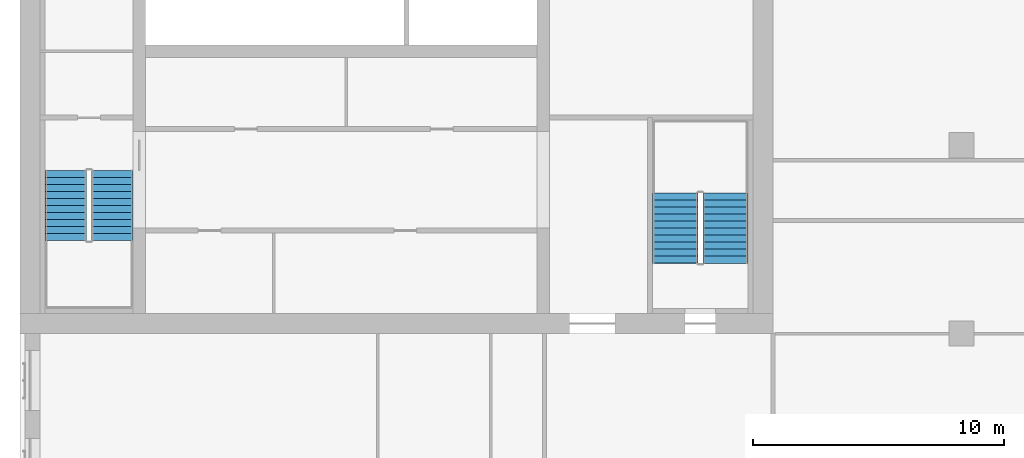
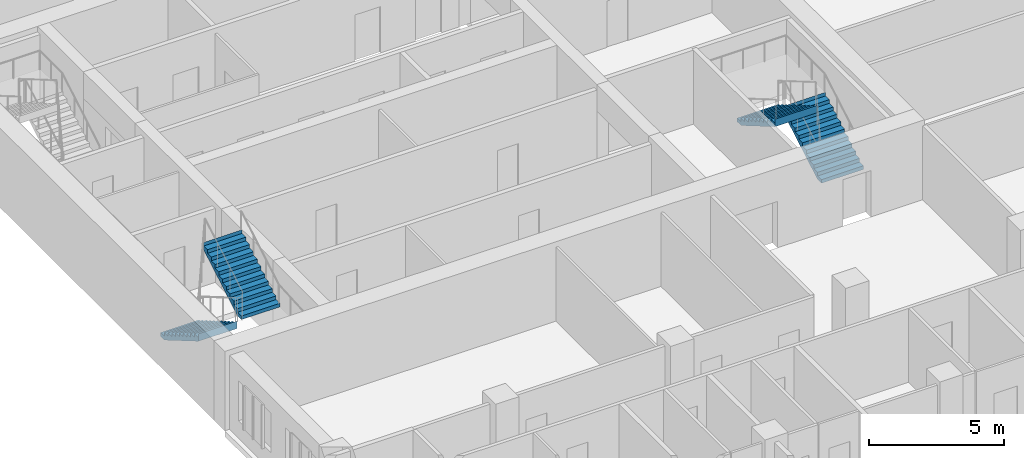
# One storey, part 12 of 14: 4 stair flights, 2 elements without a shape of their own.
"""IFC4 building model written with IfcOpenShell, lengths in metres."""

from ifc_helpers import new_model, si_unit, direction, frame, origin, place, context, subcontext, project, spatial, polyline, outline, extrude, material, type_object, element, aggregate, save


model = new_model("IFC4")

# Units and contexts
model_context = context("Model", 3, precision=1e-05, world=origin(), true_north=direction((0.0, 1.0)))
body_context = subcontext(model_context, "Body", "Model", "MODEL_VIEW")
ifc_project = project(units=[si_unit("LENGTHUNIT", "METRE"), si_unit("AREAUNIT", "SQUARE_METRE"), si_unit("VOLUMEUNIT", "CUBIC_METRE"), si_unit("PLANEANGLEUNIT", "RADIAN"), si_unit("MASSUNIT", "GRAM", prefix="KILO")], contexts=[model_context])

# Site, building, storey
site_placement = place(None, origin())
site = spatial("IfcSite", under=ifc_project, at=site_placement, CompositionType="ELEMENT")
building_placement = place(site_placement, origin())
building = spatial("IfcBuilding", under=site, at=building_placement, Name="Tamorin Gate", CompositionType="ELEMENT")
storey_placement = place(building_placement, frame((0.0, 0.0, 155.39990234375)))
storey = spatial("IfcBuildingStorey", under=building, at=storey_placement, Name="L38", CompositionType="ELEMENT", Elevation=155.39990234375)

# Stair, stair flights
ifc_material = material(Name="Concrete C40/50", Category="concrete")
stair_type = type_object("IfcStairType", Name="Exit stair", PredefinedType="HALF_TURN_STAIR", material=ifc_material)
stair_1_placement = place(storey_placement, origin())
stair_1 = element("IfcStair", 1, at=stair_1_placement, inside=storey, type_object=stair_type, Name="L38 stair ST1", PredefinedType="HALF_TURN_STAIR")
stair_flight_type = type_object("IfcStairFlightType", Name="Exit stair flight", PredefinedType="STRAIGHT", material=ifc_material)
stair_flight_1_placement = place(storey_placement, frame((31.824951171875, 66.5, 0.0), z_axis=(0.0, 0.0, 1.0), x_axis=(0.0, -1.0, 0.0)))
stair_flight_1 = element("IfcStairFlight", 2, at=stair_flight_1_placement, type_object=stair_flight_type, Name="ST1 flight 1", NumberOfRisers=11, NumberOfTreads=10, PredefinedType="STRAIGHT", RiserHeight=0.163636364, TreadLength=0.28, context=body_context, shape_type="SweptSolid", body=[
    extrude(outline(polyline([(-0.00048828125, 0.0), (-0.00048828125, 0.001708984375), (-0.00048828125, 0.003173828125), (-0.00048828125, 0.0048828125), (-0.00048828125, 0.006591796875), (-0.00048828125, 0.008056640625), (-0.00048828125, 0.009765625), (-0.00048828125, 0.01123046875), (-0.00048828125, 0.012939453125), (-0.00048828125, 0.0146484375), (-0.00048828125, 0.01611328125), (-0.00048828125, 0.017822265625), (-0.00048828125, 0.01953125), (-0.00048828125, 0.02099609375), (-0.00048828125, 0.022705078125), (-0.00048828125, 0.0244140625), (-0.00048828125, 0.02587890625), (-0.00048828125, 0.027587890625), (-0.00048828125, 0.029052734375), (-0.00048828125, 0.03076171875), (-0.00048828125, 0.032470703125), (-0.00048828125, 0.033935546875), (-0.00048828125, 0.03564453125), (-0.00048828125, 0.037353515625), (-0.00048828125, 0.038818359375), (-0.00048828125, 0.04052734375), (-0.00048828125, 0.042236328125), (-0.00048828125, 0.043701171875), (-0.00048828125, 0.04541015625), (-0.00048828125, 0.046875), (-0.00048828125, 0.048583984375), (-0.00048828125, 0.05029296875), (-0.00048828125, 0.0517578125), (-0.00048828125, 0.053466796875), (-0.00048828125, 0.05517578125), (-0.00048828125, 0.056640625), (-0.00048828125, 0.058349609375), (-0.00048828125, 0.06005859375), (-0.00048828125, 0.0615234375), (-0.00048828125, 0.063232421875), (-0.00048828125, 0.064697265625), (-0.00048828125, 0.06640625), (-0.00048828125, 0.068115234375), (-0.00048828125, 0.069580078125), (-0.00048828125, 0.0712890625), (-0.00048828125, 0.072998046875), (-0.00048828125, 0.074462890625), (-0.00048828125, 0.076171875), (-0.00048828125, 0.077880859375), (-0.00048828125, 0.079345703125), (-0.00048828125, 0.0810546875), (-0.00048828125, 0.08251953125), (-0.00048828125, 0.084228515625), (-0.00048828125, 0.0859375), (-0.00048828125, 0.08740234375), (-0.00048828125, 0.089111328125), (-0.00048828125, 0.0908203125), (-0.00048828125, 0.09228515625), (-0.00048828125, 0.093994140625), (-0.00048828125, 0.095703125), (-0.00048828125, 0.09716796875), (-0.00048828125, 0.098876953125), (-0.00048828125, 0.100341796875), (-0.00048828125, 0.10205078125), (-0.00048828125, 0.103759765625), (-0.00048828125, 0.105224609375), (-0.00048828125, 0.10693359375), (-0.00048828125, 0.108642578125), (-0.00048828125, 0.110107421875), (-0.00048828125, 0.11181640625), (-0.00048828125, 0.113525390625), (-0.00048828125, 0.114990234375), (-0.00048828125, 0.11669921875), (-0.00048828125, 0.1181640625), (-0.00048828125, 0.119873046875), (-0.00048828125, 0.12158203125), (-0.00048828125, 0.123046875), (-0.00048828125, 0.124755859375), (-0.00048828125, 0.12646484375), (-0.00048828125, 0.1279296875), (-0.00048828125, 0.129638671875), (-0.00048828125, 0.13134765625), (-0.00048828125, 0.1328125), (-0.00048828125, 0.134521484375), (-0.00048828125, 0.135986328125), (-0.00048828125, 0.1376953125), (-0.00048828125, 0.139404296875), (-0.00048828125, 0.140869140625), (-0.00048828125, 0.142578125), (-0.00048828125, 0.144287109375), (-0.00048828125, 0.145751953125), (-0.00048828125, 0.1474609375), (-0.00048828125, 0.149169921875), (-0.00048828125, 0.150634765625), (-0.00048828125, 0.15234375), (-0.00048828125, 0.15380859375), (-0.00048828125, 0.155517578125), (-0.00048828125, 0.1572265625), (-0.00048828125, 0.15869140625), (-0.00048828125, 0.160400390625), (-0.00048828125, 0.162109375), (-0.00048828125, 0.16357421875), (0.280029296875, 0.16357421875), (0.280029296875, 0.327392578125), (0.56005859375, 0.327392578125), (0.56005859375, 0.490966796875), (0.840087890625, 0.490966796875), (0.840087890625, 0.654541015625), (1.1201171875, 0.654541015625), (1.1201171875, 0.818115234375), (1.39990234375, 0.818115234375), (1.39990234375, 0.98193359375), (1.679931640625, 0.98193359375), (1.679931640625, 1.1455078125), (1.9599609375, 1.1455078125), (1.9599609375, 1.30908203125), (2.239990234375, 1.30908203125), (2.239990234375, 1.47265625), (2.52001953125, 1.47265625), (2.52001953125, 1.636474609375), (2.800048828125, 1.636474609375), (2.800048828125, 1.800048828125), (2.800537109375, 1.800048828125), (2.800537109375, 1.796630859375), (2.800537109375, 1.793212890625), (2.800537109375, 1.7900390625), (2.800537109375, 1.78662109375), (2.800537109375, 1.783203125), (2.800537109375, 1.780029296875), (2.800537109375, 1.776611328125), (2.800537109375, 1.773193359375), (2.800537109375, 1.77001953125), (2.800537109375, 1.7666015625), (2.800537109375, 1.76318359375), (2.800537109375, 1.760009765625), (2.800537109375, 1.756591796875), (2.800537109375, 1.753173828125), (2.800537109375, 1.75), (2.800537109375, 1.74658203125), (2.800537109375, 1.7431640625), (2.800537109375, 1.739990234375), (2.800537109375, 1.736572265625), (2.800537109375, 1.733154296875), (2.800537109375, 1.72998046875), (2.800537109375, 1.7265625), (2.800537109375, 1.72314453125), (2.800537109375, 1.719970703125), (2.800537109375, 1.716552734375), (2.800537109375, 1.713134765625), (2.800537109375, 1.7099609375), (2.800537109375, 1.70654296875), (2.800537109375, 1.703125), (2.800537109375, 1.69970703125), (2.800537109375, 1.696533203125), (2.800537109375, 1.693115234375), (2.800537109375, 1.689697265625), (2.800537109375, 1.6865234375), (2.800537109375, 1.68310546875), (2.800537109375, 1.6796875), (2.800537109375, 1.676513671875), (2.800537109375, 1.673095703125), (2.800537109375, 1.669677734375), (2.800537109375, 1.66650390625), (2.800537109375, 1.6630859375), (2.800537109375, 1.65966796875), (2.800537109375, 1.656494140625), (2.800537109375, 1.653076171875), (2.800537109375, 1.649658203125), (2.800537109375, 1.646484375), (2.800537109375, 1.64306640625), (2.800537109375, 1.6396484375), (2.800537109375, 1.636474609375), (2.800537109375, 1.633056640625), (2.800537109375, 1.629638671875), (2.800537109375, 1.62646484375), (2.800537109375, 1.623046875), (2.800537109375, 1.61962890625), (2.800537109375, 1.616455078125), (2.800537109375, 1.613037109375), (2.800537109375, 1.609619140625), (2.800537109375, 1.6064453125), (2.800537109375, 1.60302734375), (2.800537109375, 1.599609375), (2.800537109375, 1.59619140625), (2.800537109375, 1.593017578125), (2.800537109375, 1.589599609375), (2.800537109375, 1.586181640625), (2.800537109375, 1.5830078125), (2.800537109375, 1.57958984375), (2.800537109375, 1.576171875), (2.800537109375, 1.572998046875), (2.800537109375, 1.569580078125), (2.800537109375, 1.566162109375), (2.800537109375, 1.56298828125), (2.800537109375, 1.5595703125), (2.800537109375, 1.55615234375), (2.800537109375, 1.552978515625), (2.800537109375, 1.549560546875), (2.800537109375, 1.546142578125), (2.800537109375, 1.54296875), (2.800537109375, 1.53955078125), (2.800537109375, 1.5361328125), (2.800537109375, 1.532958984375), (2.800537109375, 1.529541015625), (2.800537109375, 1.526123046875), (2.800537109375, 1.52294921875), (2.800537109375, 1.51953125), (2.800537109375, 1.51611328125), (2.800537109375, 1.512939453125), (2.800537109375, 1.509521484375), (2.800537109375, 1.506103515625), (2.800537109375, 1.5029296875), (2.800537109375, 1.49951171875), (2.800537109375, 1.49609375), (2.800537109375, 1.49267578125), (2.800537109375, 1.489501953125), (2.800537109375, 1.486083984375), (2.800537109375, 1.482666015625), (2.800537109375, 1.4794921875), (2.800537109375, 1.47607421875), (2.800537109375, 1.47265625), (2.800537109375, 1.469482421875), (2.800537109375, 1.466064453125), (2.800537109375, 1.462646484375), (2.800048828125, 1.462646484375), (0.297119140625, 0.0), (-0.00048828125, 0.0)])), frame((0.0, 0.824951171875, 0.0), z_axis=(0.0, -1.0, 0.0), x_axis=(1.0, 0.0, 0.0)), (0.0, 0.0, 1.0), 1.64990234375),
])
stair_flight_2_placement = place(storey_placement, frame((33.675048828125, 63.699951171875, 1.800048828125), z_axis=(0.0, 0.0, 1.0), x_axis=(0.0, 1.0, 0.0)))
stair_flight_2 = element("IfcStairFlight", 3, at=stair_flight_2_placement, type_object=stair_flight_type, Name="ST1 flight 2", NumberOfRisers=11, NumberOfTreads=10, PredefinedType="STRAIGHT", RiserHeight=0.163636364, TreadLength=0.28, context=body_context, shape_type="SweptSolid", body=[
    extrude(outline(polyline([(-0.00048828125, 0.0), (-0.00048828125, 0.001708984375), (-0.00048828125, 0.003173828125), (-0.00048828125, 0.0048828125), (-0.00048828125, 0.006591796875), (-0.00048828125, 0.008056640625), (-0.00048828125, 0.009765625), (-0.00048828125, 0.01123046875), (-0.00048828125, 0.012939453125), (-0.00048828125, 0.0146484375), (-0.00048828125, 0.01611328125), (-0.00048828125, 0.017822265625), (-0.00048828125, 0.01953125), (-0.00048828125, 0.02099609375), (-0.00048828125, 0.022705078125), (-0.00048828125, 0.0244140625), (-0.00048828125, 0.02587890625), (-0.00048828125, 0.027587890625), (-0.00048828125, 0.029052734375), (-0.00048828125, 0.03076171875), (-0.00048828125, 0.032470703125), (-0.00048828125, 0.033935546875), (-0.00048828125, 0.03564453125), (-0.00048828125, 0.037353515625), (-0.00048828125, 0.038818359375), (-0.00048828125, 0.04052734375), (-0.00048828125, 0.042236328125), (-0.00048828125, 0.043701171875), (-0.00048828125, 0.04541015625), (-0.00048828125, 0.046875), (-0.00048828125, 0.048583984375), (-0.00048828125, 0.05029296875), (-0.00048828125, 0.0517578125), (-0.00048828125, 0.053466796875), (-0.00048828125, 0.05517578125), (-0.00048828125, 0.056640625), (-0.00048828125, 0.058349609375), (-0.00048828125, 0.06005859375), (-0.00048828125, 0.0615234375), (-0.00048828125, 0.063232421875), (-0.00048828125, 0.064697265625), (-0.00048828125, 0.06640625), (-0.00048828125, 0.068115234375), (-0.00048828125, 0.069580078125), (-0.00048828125, 0.0712890625), (-0.00048828125, 0.072998046875), (-0.00048828125, 0.074462890625), (-0.00048828125, 0.076171875), (-0.00048828125, 0.077880859375), (-0.00048828125, 0.079345703125), (-0.00048828125, 0.0810546875), (-0.00048828125, 0.08251953125), (-0.00048828125, 0.084228515625), (-0.00048828125, 0.0859375), (-0.00048828125, 0.08740234375), (-0.00048828125, 0.089111328125), (-0.00048828125, 0.0908203125), (-0.00048828125, 0.09228515625), (-0.00048828125, 0.093994140625), (-0.00048828125, 0.095703125), (-0.00048828125, 0.09716796875), (-0.00048828125, 0.098876953125), (-0.00048828125, 0.100341796875), (-0.00048828125, 0.10205078125), (-0.00048828125, 0.103759765625), (-0.00048828125, 0.105224609375), (-0.00048828125, 0.10693359375), (-0.00048828125, 0.108642578125), (-0.00048828125, 0.110107421875), (-0.00048828125, 0.11181640625), (-0.00048828125, 0.113525390625), (-0.00048828125, 0.114990234375), (-0.00048828125, 0.11669921875), (-0.00048828125, 0.1181640625), (-0.00048828125, 0.119873046875), (-0.00048828125, 0.12158203125), (-0.00048828125, 0.123046875), (-0.00048828125, 0.124755859375), (-0.00048828125, 0.12646484375), (-0.00048828125, 0.1279296875), (-0.00048828125, 0.129638671875), (-0.00048828125, 0.13134765625), (-0.00048828125, 0.1328125), (-0.00048828125, 0.134521484375), (-0.00048828125, 0.135986328125), (-0.00048828125, 0.1376953125), (-0.00048828125, 0.139404296875), (-0.00048828125, 0.140869140625), (-0.00048828125, 0.142578125), (-0.00048828125, 0.144287109375), (-0.00048828125, 0.145751953125), (-0.00048828125, 0.1474609375), (-0.00048828125, 0.149169921875), (-0.00048828125, 0.150634765625), (-0.00048828125, 0.15234375), (-0.00048828125, 0.15380859375), (-0.00048828125, 0.155517578125), (-0.00048828125, 0.1572265625), (-0.00048828125, 0.15869140625), (-0.00048828125, 0.160400390625), (-0.00048828125, 0.162109375), (-0.00048828125, 0.16357421875), (0.280029296875, 0.16357421875), (0.280029296875, 0.327392578125), (0.56005859375, 0.327392578125), (0.56005859375, 0.490966796875), (0.840087890625, 0.490966796875), (0.840087890625, 0.654541015625), (1.1201171875, 0.654541015625), (1.1201171875, 0.818115234375), (1.39990234375, 0.818115234375), (1.39990234375, 0.98193359375), (1.679931640625, 0.98193359375), (1.679931640625, 1.1455078125), (1.9599609375, 1.1455078125), (1.9599609375, 1.30908203125), (2.239990234375, 1.30908203125), (2.239990234375, 1.47265625), (2.52001953125, 1.47265625), (2.52001953125, 1.636474609375), (2.800048828125, 1.636474609375), (2.800048828125, 1.800048828125), (2.800537109375, 1.800048828125), (2.800537109375, 1.796630859375), (2.800537109375, 1.793212890625), (2.800537109375, 1.7900390625), (2.800537109375, 1.78662109375), (2.800537109375, 1.783203125), (2.800537109375, 1.780029296875), (2.800537109375, 1.776611328125), (2.800537109375, 1.773193359375), (2.800537109375, 1.77001953125), (2.800537109375, 1.7666015625), (2.800537109375, 1.76318359375), (2.800537109375, 1.760009765625), (2.800537109375, 1.756591796875), (2.800537109375, 1.753173828125), (2.800537109375, 1.75), (2.800537109375, 1.74658203125), (2.800537109375, 1.7431640625), (2.800537109375, 1.739990234375), (2.800537109375, 1.736572265625), (2.800537109375, 1.733154296875), (2.800537109375, 1.72998046875), (2.800537109375, 1.7265625), (2.800537109375, 1.72314453125), (2.800537109375, 1.719970703125), (2.800537109375, 1.716552734375), (2.800537109375, 1.713134765625), (2.800537109375, 1.7099609375), (2.800537109375, 1.70654296875), (2.800537109375, 1.703125), (2.800537109375, 1.69970703125), (2.800537109375, 1.696533203125), (2.800537109375, 1.693115234375), (2.800537109375, 1.689697265625), (2.800537109375, 1.6865234375), (2.800537109375, 1.68310546875), (2.800537109375, 1.6796875), (2.800537109375, 1.676513671875), (2.800537109375, 1.673095703125), (2.800537109375, 1.669677734375), (2.800537109375, 1.66650390625), (2.800537109375, 1.6630859375), (2.800537109375, 1.65966796875), (2.800537109375, 1.656494140625), (2.800537109375, 1.653076171875), (2.800537109375, 1.649658203125), (2.800537109375, 1.646484375), (2.800537109375, 1.64306640625), (2.800537109375, 1.6396484375), (2.800537109375, 1.636474609375), (2.800537109375, 1.633056640625), (2.800537109375, 1.629638671875), (2.800537109375, 1.62646484375), (2.800537109375, 1.623046875), (2.800537109375, 1.61962890625), (2.800537109375, 1.616455078125), (2.800537109375, 1.613037109375), (2.800537109375, 1.609619140625), (2.800537109375, 1.6064453125), (2.800537109375, 1.60302734375), (2.800537109375, 1.599609375), (2.800537109375, 1.59619140625), (2.800537109375, 1.593017578125), (2.800537109375, 1.589599609375), (2.800537109375, 1.586181640625), (2.800537109375, 1.5830078125), (2.800537109375, 1.57958984375), (2.800537109375, 1.576171875), (2.800537109375, 1.572998046875), (2.800537109375, 1.569580078125), (2.800537109375, 1.566162109375), (2.800537109375, 1.56298828125), (2.800537109375, 1.5595703125), (2.800537109375, 1.55615234375), (2.800537109375, 1.552978515625), (2.800537109375, 1.549560546875), (2.800537109375, 1.546142578125), (2.800537109375, 1.54296875), (2.800537109375, 1.53955078125), (2.800537109375, 1.5361328125), (2.800537109375, 1.532958984375), (2.800537109375, 1.529541015625), (2.800537109375, 1.526123046875), (2.800537109375, 1.52294921875), (2.800537109375, 1.51953125), (2.800537109375, 1.51611328125), (2.800537109375, 1.512939453125), (2.800537109375, 1.509521484375), (2.800537109375, 1.506103515625), (2.800537109375, 1.5029296875), (2.800537109375, 1.49951171875), (2.800537109375, 1.49609375), (2.800537109375, 1.49267578125), (2.800537109375, 1.489501953125), (2.800537109375, 1.486083984375), (2.800537109375, 1.482666015625), (2.800537109375, 1.4794921875), (2.800537109375, 1.47607421875), (2.800537109375, 1.47265625), (2.800537109375, 1.469482421875), (2.800537109375, 1.466064453125), (2.800537109375, 1.462646484375), (2.800048828125, 1.462646484375), (0.297119140625, 0.0), (-0.00048828125, 0.0)])), frame((0.0, 0.824951171875, 0.0), z_axis=(0.0, -1.0, 0.0), x_axis=(1.0, 0.0, 0.0)), (0.0, 0.0, 1.0), 1.64990234375),
])
aggregate(stair_1, [stair_flight_1, stair_flight_2])

stair_2_placement = place(storey_placement, origin())
stair_2 = element("IfcStair", 4, at=stair_2_placement, inside=storey, type_object=stair_type, Name="L38 stair ST3", PredefinedType="HALF_TURN_STAIR")
stair_flight_3_placement = place(storey_placement, frame((58.10009765625, 62.800048828125, 0.0), z_axis=(0.0, 0.0, 1.0), x_axis=(0.0, 1.0, 0.0)))
stair_flight_3 = element("IfcStairFlight", 5, at=stair_flight_3_placement, type_object=stair_flight_type, Name="ST3 flight 1", NumberOfRisers=11, NumberOfTreads=10, PredefinedType="STRAIGHT", RiserHeight=0.163636364, TreadLength=0.28, context=body_context, shape_type="SweptSolid", body=[
    extrude(outline(polyline([(-0.00048828125, 0.0), (-0.00048828125, 0.001708984375), (-0.00048828125, 0.003173828125), (-0.00048828125, 0.0048828125), (-0.00048828125, 0.006591796875), (-0.00048828125, 0.008056640625), (-0.00048828125, 0.009765625), (-0.00048828125, 0.01123046875), (-0.00048828125, 0.012939453125), (-0.00048828125, 0.0146484375), (-0.00048828125, 0.01611328125), (-0.00048828125, 0.017822265625), (-0.00048828125, 0.01953125), (-0.00048828125, 0.02099609375), (-0.00048828125, 0.022705078125), (-0.00048828125, 0.0244140625), (-0.00048828125, 0.02587890625), (-0.00048828125, 0.027587890625), (-0.00048828125, 0.029052734375), (-0.00048828125, 0.03076171875), (-0.00048828125, 0.032470703125), (-0.00048828125, 0.033935546875), (-0.00048828125, 0.03564453125), (-0.00048828125, 0.037353515625), (-0.00048828125, 0.038818359375), (-0.00048828125, 0.04052734375), (-0.00048828125, 0.042236328125), (-0.00048828125, 0.043701171875), (-0.00048828125, 0.04541015625), (-0.00048828125, 0.046875), (-0.00048828125, 0.048583984375), (-0.00048828125, 0.05029296875), (-0.00048828125, 0.0517578125), (-0.00048828125, 0.053466796875), (-0.00048828125, 0.05517578125), (-0.00048828125, 0.056640625), (-0.00048828125, 0.058349609375), (-0.00048828125, 0.06005859375), (-0.00048828125, 0.0615234375), (-0.00048828125, 0.063232421875), (-0.00048828125, 0.064697265625), (-0.00048828125, 0.06640625), (-0.00048828125, 0.068115234375), (-0.00048828125, 0.069580078125), (-0.00048828125, 0.0712890625), (-0.00048828125, 0.072998046875), (-0.00048828125, 0.074462890625), (-0.00048828125, 0.076171875), (-0.00048828125, 0.077880859375), (-0.00048828125, 0.079345703125), (-0.00048828125, 0.0810546875), (-0.00048828125, 0.08251953125), (-0.00048828125, 0.084228515625), (-0.00048828125, 0.0859375), (-0.00048828125, 0.08740234375), (-0.00048828125, 0.089111328125), (-0.00048828125, 0.0908203125), (-0.00048828125, 0.09228515625), (-0.00048828125, 0.093994140625), (-0.00048828125, 0.095703125), (-0.00048828125, 0.09716796875), (-0.00048828125, 0.098876953125), (-0.00048828125, 0.100341796875), (-0.00048828125, 0.10205078125), (-0.00048828125, 0.103759765625), (-0.00048828125, 0.105224609375), (-0.00048828125, 0.10693359375), (-0.00048828125, 0.108642578125), (-0.00048828125, 0.110107421875), (-0.00048828125, 0.11181640625), (-0.00048828125, 0.113525390625), (-0.00048828125, 0.114990234375), (-0.00048828125, 0.11669921875), (-0.00048828125, 0.1181640625), (-0.00048828125, 0.119873046875), (-0.00048828125, 0.12158203125), (-0.00048828125, 0.123046875), (-0.00048828125, 0.124755859375), (-0.00048828125, 0.12646484375), (-0.00048828125, 0.1279296875), (-0.00048828125, 0.129638671875), (-0.00048828125, 0.13134765625), (-0.00048828125, 0.1328125), (-0.00048828125, 0.134521484375), (-0.00048828125, 0.135986328125), (-0.00048828125, 0.1376953125), (-0.00048828125, 0.139404296875), (-0.00048828125, 0.140869140625), (-0.00048828125, 0.142578125), (-0.00048828125, 0.144287109375), (-0.00048828125, 0.145751953125), (-0.00048828125, 0.1474609375), (-0.00048828125, 0.149169921875), (-0.00048828125, 0.150634765625), (-0.00048828125, 0.15234375), (-0.00048828125, 0.15380859375), (-0.00048828125, 0.155517578125), (-0.00048828125, 0.1572265625), (-0.00048828125, 0.15869140625), (-0.00048828125, 0.160400390625), (-0.00048828125, 0.162109375), (-0.00048828125, 0.16357421875), (0.280029296875, 0.16357421875), (0.280029296875, 0.327392578125), (0.56005859375, 0.327392578125), (0.56005859375, 0.490966796875), (0.840087890625, 0.490966796875), (0.840087890625, 0.654541015625), (1.1201171875, 0.654541015625), (1.1201171875, 0.818115234375), (1.39990234375, 0.818115234375), (1.39990234375, 0.98193359375), (1.679931640625, 0.98193359375), (1.679931640625, 1.1455078125), (1.9599609375, 1.1455078125), (1.9599609375, 1.30908203125), (2.239990234375, 1.30908203125), (2.239990234375, 1.47265625), (2.52001953125, 1.47265625), (2.52001953125, 1.636474609375), (2.800048828125, 1.636474609375), (2.800048828125, 1.800048828125), (2.800537109375, 1.800048828125), (2.800537109375, 1.796630859375), (2.800537109375, 1.793212890625), (2.800537109375, 1.7900390625), (2.800537109375, 1.78662109375), (2.800537109375, 1.783203125), (2.800537109375, 1.780029296875), (2.800537109375, 1.776611328125), (2.800537109375, 1.773193359375), (2.800537109375, 1.77001953125), (2.800537109375, 1.7666015625), (2.800537109375, 1.76318359375), (2.800537109375, 1.760009765625), (2.800537109375, 1.756591796875), (2.800537109375, 1.753173828125), (2.800537109375, 1.75), (2.800537109375, 1.74658203125), (2.800537109375, 1.7431640625), (2.800537109375, 1.739990234375), (2.800537109375, 1.736572265625), (2.800537109375, 1.733154296875), (2.800537109375, 1.72998046875), (2.800537109375, 1.7265625), (2.800537109375, 1.72314453125), (2.800537109375, 1.719970703125), (2.800537109375, 1.716552734375), (2.800537109375, 1.713134765625), (2.800537109375, 1.7099609375), (2.800537109375, 1.70654296875), (2.800537109375, 1.703125), (2.800537109375, 1.69970703125), (2.800537109375, 1.696533203125), (2.800537109375, 1.693115234375), (2.800537109375, 1.689697265625), (2.800537109375, 1.6865234375), (2.800537109375, 1.68310546875), (2.800537109375, 1.6796875), (2.800537109375, 1.676513671875), (2.800537109375, 1.673095703125), (2.800537109375, 1.669677734375), (2.800537109375, 1.66650390625), (2.800537109375, 1.6630859375), (2.800537109375, 1.65966796875), (2.800537109375, 1.656494140625), (2.800537109375, 1.653076171875), (2.800537109375, 1.649658203125), (2.800537109375, 1.646484375), (2.800537109375, 1.64306640625), (2.800537109375, 1.6396484375), (2.800537109375, 1.636474609375), (2.800537109375, 1.633056640625), (2.800537109375, 1.629638671875), (2.800537109375, 1.62646484375), (2.800537109375, 1.623046875), (2.800537109375, 1.61962890625), (2.800537109375, 1.616455078125), (2.800537109375, 1.613037109375), (2.800537109375, 1.609619140625), (2.800537109375, 1.6064453125), (2.800537109375, 1.60302734375), (2.800537109375, 1.599609375), (2.800537109375, 1.59619140625), (2.800537109375, 1.593017578125), (2.800537109375, 1.589599609375), (2.800537109375, 1.586181640625), (2.800537109375, 1.5830078125), (2.800537109375, 1.57958984375), (2.800537109375, 1.576171875), (2.800537109375, 1.572998046875), (2.800537109375, 1.569580078125), (2.800537109375, 1.566162109375), (2.800537109375, 1.56298828125), (2.800537109375, 1.5595703125), (2.800537109375, 1.55615234375), (2.800537109375, 1.552978515625), (2.800537109375, 1.549560546875), (2.800537109375, 1.546142578125), (2.800537109375, 1.54296875), (2.800537109375, 1.53955078125), (2.800537109375, 1.5361328125), (2.800537109375, 1.532958984375), (2.800537109375, 1.529541015625), (2.800537109375, 1.526123046875), (2.800537109375, 1.52294921875), (2.800537109375, 1.51953125), (2.800537109375, 1.51611328125), (2.800537109375, 1.512939453125), (2.800537109375, 1.509521484375), (2.800537109375, 1.506103515625), (2.800537109375, 1.5029296875), (2.800537109375, 1.49951171875), (2.800537109375, 1.49609375), (2.800537109375, 1.49267578125), (2.800537109375, 1.489501953125), (2.800537109375, 1.486083984375), (2.800537109375, 1.482666015625), (2.800537109375, 1.4794921875), (2.800537109375, 1.47607421875), (2.800537109375, 1.47265625), (2.800537109375, 1.469482421875), (2.800537109375, 1.466064453125), (2.800537109375, 1.462646484375), (2.800048828125, 1.462646484375), (0.297119140625, 0.0), (-0.00048828125, 0.0)])), frame((0.0, 0.89990234375, 0.0), z_axis=(0.0, -1.0, 0.0), x_axis=(1.0, 0.0, 0.0)), (0.0, 0.0, 1.0), 1.800048828125),
])
stair_flight_4_placement = place(storey_placement, frame((56.10009765625, 65.60009765625, 1.800048828125), z_axis=(0.0, 0.0, 1.0), x_axis=(0.0, -1.0, 0.0)))
stair_flight_4 = element("IfcStairFlight", 6, at=stair_flight_4_placement, type_object=stair_flight_type, Name="ST3 flight 2", NumberOfRisers=11, NumberOfTreads=10, PredefinedType="STRAIGHT", RiserHeight=0.163636364, TreadLength=0.28, context=body_context, shape_type="SweptSolid", body=[
    extrude(outline(polyline([(-0.00048828125, 0.0), (-0.00048828125, 0.001708984375), (-0.00048828125, 0.003173828125), (-0.00048828125, 0.0048828125), (-0.00048828125, 0.006591796875), (-0.00048828125, 0.008056640625), (-0.00048828125, 0.009765625), (-0.00048828125, 0.01123046875), (-0.00048828125, 0.012939453125), (-0.00048828125, 0.0146484375), (-0.00048828125, 0.01611328125), (-0.00048828125, 0.017822265625), (-0.00048828125, 0.01953125), (-0.00048828125, 0.02099609375), (-0.00048828125, 0.022705078125), (-0.00048828125, 0.0244140625), (-0.00048828125, 0.02587890625), (-0.00048828125, 0.027587890625), (-0.00048828125, 0.029052734375), (-0.00048828125, 0.03076171875), (-0.00048828125, 0.032470703125), (-0.00048828125, 0.033935546875), (-0.00048828125, 0.03564453125), (-0.00048828125, 0.037353515625), (-0.00048828125, 0.038818359375), (-0.00048828125, 0.04052734375), (-0.00048828125, 0.042236328125), (-0.00048828125, 0.043701171875), (-0.00048828125, 0.04541015625), (-0.00048828125, 0.046875), (-0.00048828125, 0.048583984375), (-0.00048828125, 0.05029296875), (-0.00048828125, 0.0517578125), (-0.00048828125, 0.053466796875), (-0.00048828125, 0.05517578125), (-0.00048828125, 0.056640625), (-0.00048828125, 0.058349609375), (-0.00048828125, 0.06005859375), (-0.00048828125, 0.0615234375), (-0.00048828125, 0.063232421875), (-0.00048828125, 0.064697265625), (-0.00048828125, 0.06640625), (-0.00048828125, 0.068115234375), (-0.00048828125, 0.069580078125), (-0.00048828125, 0.0712890625), (-0.00048828125, 0.072998046875), (-0.00048828125, 0.074462890625), (-0.00048828125, 0.076171875), (-0.00048828125, 0.077880859375), (-0.00048828125, 0.079345703125), (-0.00048828125, 0.0810546875), (-0.00048828125, 0.08251953125), (-0.00048828125, 0.084228515625), (-0.00048828125, 0.0859375), (-0.00048828125, 0.08740234375), (-0.00048828125, 0.089111328125), (-0.00048828125, 0.0908203125), (-0.00048828125, 0.09228515625), (-0.00048828125, 0.093994140625), (-0.00048828125, 0.095703125), (-0.00048828125, 0.09716796875), (-0.00048828125, 0.098876953125), (-0.00048828125, 0.100341796875), (-0.00048828125, 0.10205078125), (-0.00048828125, 0.103759765625), (-0.00048828125, 0.105224609375), (-0.00048828125, 0.10693359375), (-0.00048828125, 0.108642578125), (-0.00048828125, 0.110107421875), (-0.00048828125, 0.11181640625), (-0.00048828125, 0.113525390625), (-0.00048828125, 0.114990234375), (-0.00048828125, 0.11669921875), (-0.00048828125, 0.1181640625), (-0.00048828125, 0.119873046875), (-0.00048828125, 0.12158203125), (-0.00048828125, 0.123046875), (-0.00048828125, 0.124755859375), (-0.00048828125, 0.12646484375), (-0.00048828125, 0.1279296875), (-0.00048828125, 0.129638671875), (-0.00048828125, 0.13134765625), (-0.00048828125, 0.1328125), (-0.00048828125, 0.134521484375), (-0.00048828125, 0.135986328125), (-0.00048828125, 0.1376953125), (-0.00048828125, 0.139404296875), (-0.00048828125, 0.140869140625), (-0.00048828125, 0.142578125), (-0.00048828125, 0.144287109375), (-0.00048828125, 0.145751953125), (-0.00048828125, 0.1474609375), (-0.00048828125, 0.149169921875), (-0.00048828125, 0.150634765625), (-0.00048828125, 0.15234375), (-0.00048828125, 0.15380859375), (-0.00048828125, 0.155517578125), (-0.00048828125, 0.1572265625), (-0.00048828125, 0.15869140625), (-0.00048828125, 0.160400390625), (-0.00048828125, 0.162109375), (-0.00048828125, 0.16357421875), (0.280029296875, 0.16357421875), (0.280029296875, 0.327392578125), (0.56005859375, 0.327392578125), (0.56005859375, 0.490966796875), (0.840087890625, 0.490966796875), (0.840087890625, 0.654541015625), (1.1201171875, 0.654541015625), (1.1201171875, 0.818115234375), (1.39990234375, 0.818115234375), (1.39990234375, 0.98193359375), (1.679931640625, 0.98193359375), (1.679931640625, 1.1455078125), (1.9599609375, 1.1455078125), (1.9599609375, 1.30908203125), (2.239990234375, 1.30908203125), (2.239990234375, 1.47265625), (2.52001953125, 1.47265625), (2.52001953125, 1.636474609375), (2.800048828125, 1.636474609375), (2.800048828125, 1.800048828125), (2.800537109375, 1.800048828125), (2.800537109375, 1.796630859375), (2.800537109375, 1.793212890625), (2.800537109375, 1.7900390625), (2.800537109375, 1.78662109375), (2.800537109375, 1.783203125), (2.800537109375, 1.780029296875), (2.800537109375, 1.776611328125), (2.800537109375, 1.773193359375), (2.800537109375, 1.77001953125), (2.800537109375, 1.7666015625), (2.800537109375, 1.76318359375), (2.800537109375, 1.760009765625), (2.800537109375, 1.756591796875), (2.800537109375, 1.753173828125), (2.800537109375, 1.75), (2.800537109375, 1.74658203125), (2.800537109375, 1.7431640625), (2.800537109375, 1.739990234375), (2.800537109375, 1.736572265625), (2.800537109375, 1.733154296875), (2.800537109375, 1.72998046875), (2.800537109375, 1.7265625), (2.800537109375, 1.72314453125), (2.800537109375, 1.719970703125), (2.800537109375, 1.716552734375), (2.800537109375, 1.713134765625), (2.800537109375, 1.7099609375), (2.800537109375, 1.70654296875), (2.800537109375, 1.703125), (2.800537109375, 1.69970703125), (2.800537109375, 1.696533203125), (2.800537109375, 1.693115234375), (2.800537109375, 1.689697265625), (2.800537109375, 1.6865234375), (2.800537109375, 1.68310546875), (2.800537109375, 1.6796875), (2.800537109375, 1.676513671875), (2.800537109375, 1.673095703125), (2.800537109375, 1.669677734375), (2.800537109375, 1.66650390625), (2.800537109375, 1.6630859375), (2.800537109375, 1.65966796875), (2.800537109375, 1.656494140625), (2.800537109375, 1.653076171875), (2.800537109375, 1.649658203125), (2.800537109375, 1.646484375), (2.800537109375, 1.64306640625), (2.800537109375, 1.6396484375), (2.800537109375, 1.636474609375), (2.800537109375, 1.633056640625), (2.800537109375, 1.629638671875), (2.800537109375, 1.62646484375), (2.800537109375, 1.623046875), (2.800537109375, 1.61962890625), (2.800537109375, 1.616455078125), (2.800537109375, 1.613037109375), (2.800537109375, 1.609619140625), (2.800537109375, 1.6064453125), (2.800537109375, 1.60302734375), (2.800537109375, 1.599609375), (2.800537109375, 1.59619140625), (2.800537109375, 1.593017578125), (2.800537109375, 1.589599609375), (2.800537109375, 1.586181640625), (2.800537109375, 1.5830078125), (2.800537109375, 1.57958984375), (2.800537109375, 1.576171875), (2.800537109375, 1.572998046875), (2.800537109375, 1.569580078125), (2.800537109375, 1.566162109375), (2.800537109375, 1.56298828125), (2.800537109375, 1.5595703125), (2.800537109375, 1.55615234375), (2.800537109375, 1.552978515625), (2.800537109375, 1.549560546875), (2.800537109375, 1.546142578125), (2.800537109375, 1.54296875), (2.800537109375, 1.53955078125), (2.800537109375, 1.5361328125), (2.800537109375, 1.532958984375), (2.800537109375, 1.529541015625), (2.800537109375, 1.526123046875), (2.800537109375, 1.52294921875), (2.800537109375, 1.51953125), (2.800537109375, 1.51611328125), (2.800537109375, 1.512939453125), (2.800537109375, 1.509521484375), (2.800537109375, 1.506103515625), (2.800537109375, 1.5029296875), (2.800537109375, 1.49951171875), (2.800537109375, 1.49609375), (2.800537109375, 1.49267578125), (2.800537109375, 1.489501953125), (2.800537109375, 1.486083984375), (2.800537109375, 1.482666015625), (2.800537109375, 1.4794921875), (2.800537109375, 1.47607421875), (2.800537109375, 1.47265625), (2.800537109375, 1.469482421875), (2.800537109375, 1.466064453125), (2.800537109375, 1.462646484375), (2.800048828125, 1.462646484375), (0.297119140625, 0.0), (-0.00048828125, 0.0)])), frame((0.0, 0.89990234375, 0.0), z_axis=(0.0, -1.0, 0.0), x_axis=(1.0, 0.0, 0.0)), (0.0, 0.0, 1.0), 1.800048828125),
])
aggregate(stair_2, [stair_flight_3, stair_flight_4])

save(model, "model.ifc")
